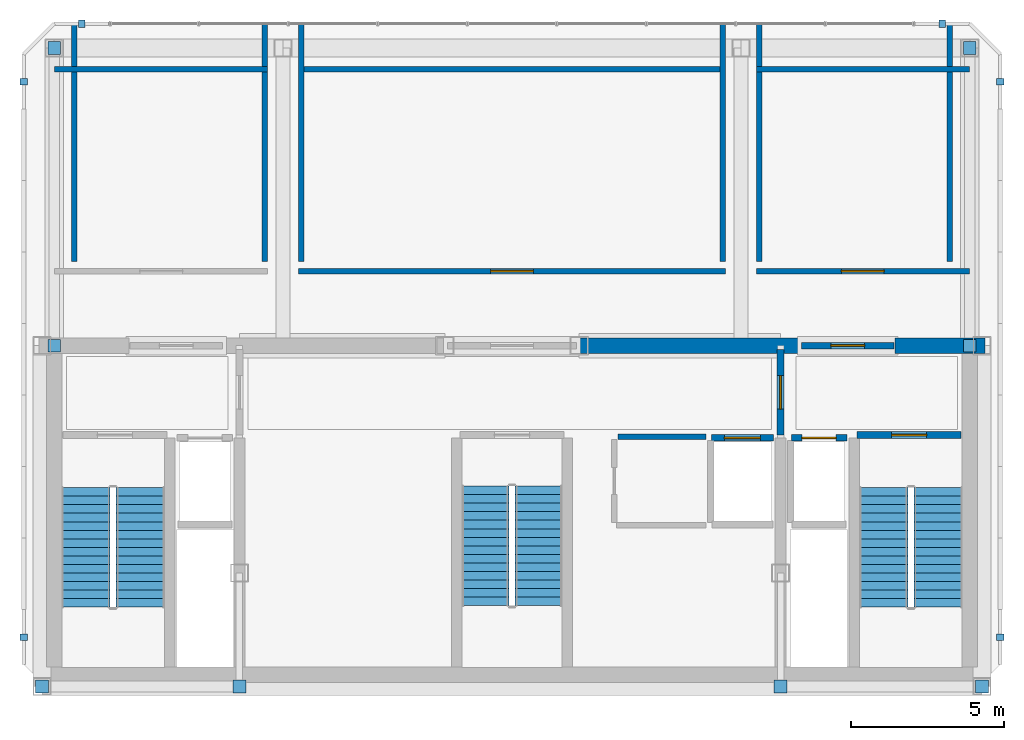
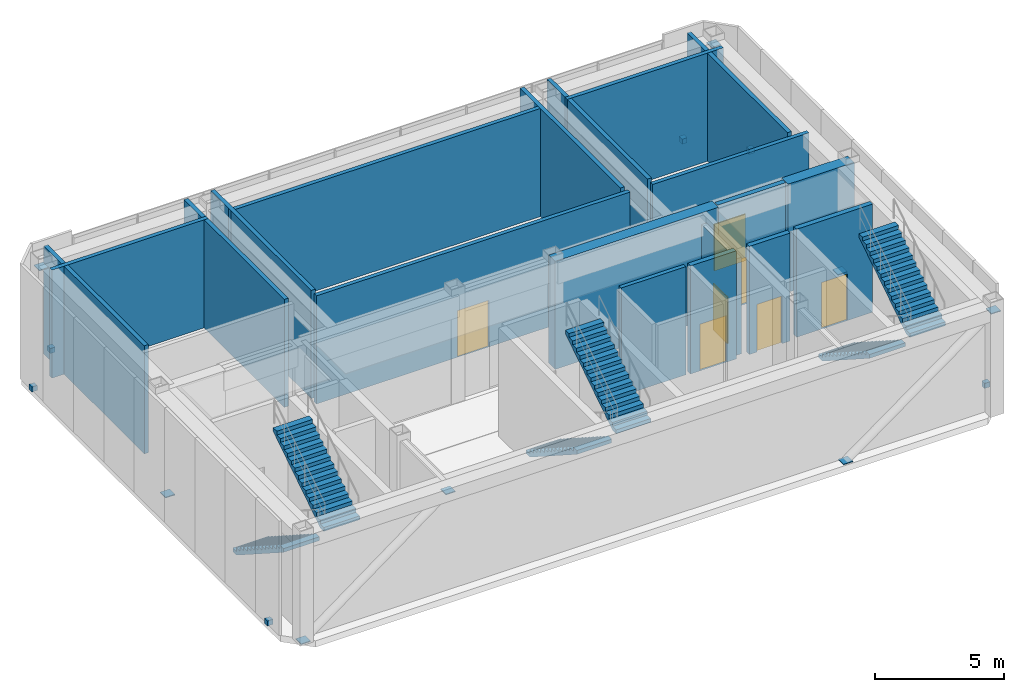
# One storey, part 8 of 9: 19 walls, 14 discrete accessories, 7 doors, 6 stair flights, 7 openings, 3 elements without a shape of their own.
"""IFC4 building model written with IfcOpenShell, lengths in metres."""

from ifc_helpers import new_model, si_unit, direction, frame, frame_2d, origin, origin_2d, place, context, subcontext, project, spatial, polyline, rectangle, outline, extrude, material, layer, layer_set, type_object, element, fill, aggregate, save


model = new_model("IFC4")

# Units and contexts
model_context = context("Model", 3, precision=1e-05, world=origin(), true_north=direction((0.0, 1.0)))
body_context = subcontext(model_context, "Body", "Model", "MODEL_VIEW")
ifc_project = project(units=[si_unit("LENGTHUNIT", "METRE"), si_unit("AREAUNIT", "SQUARE_METRE"), si_unit("VOLUMEUNIT", "CUBIC_METRE"), si_unit("PLANEANGLEUNIT", "RADIAN"), si_unit("MASSUNIT", "GRAM", prefix="KILO")], contexts=[model_context])

# Site, building, storey
site_placement = place(None, origin())
site = spatial("IfcSite", under=ifc_project, at=site_placement, CompositionType="ELEMENT")
building_placement = place(site_placement, origin())
building = spatial("IfcBuilding", under=site, at=building_placement, Name="Ventersveld Concourse Tower", CompositionType="ELEMENT")
storey_placement = place(building_placement, frame((0.0, 0.0, 372.050048828125)))
storey = spatial("IfcBuildingStorey", under=building, at=storey_placement, Name="L91", CompositionType="ELEMENT", Elevation=372.050048828125)

# Walls
ifc_material_1 = material(Name="Concrete C50/60", Category="concrete")
ifc_layer_1 = layer(ifc_material_1, 0.5)
ifc_layer_set_1 = layer_set([ifc_layer_1], Name="Concrete C50/60")
wall_type_1 = type_object("IfcWallType", Name="WL-CORE-500", PredefinedType="SHEAR", material=ifc_layer_set_1)
wall_1_placement = place(storey_placement, frame((30.89990234375, 11.449951171875, 0.0), z_axis=(0.0, 0.0, 1.0), x_axis=(1.0, 0.0, 0.0)))
element("IfcWall", 1, at=wall_1_placement, inside=storey, type_object=wall_type_1, Name="L91 Rear Core North Shear Wall NMR", PredefinedType="SHEAR", context=body_context, shape_type="SweptSolid", body=[
    extrude(rectangle(XDim=7.300048828125, YDim=0.5, at=frame_2d((3.64990234375, 0.0))), origin(), (0.0, 0.0, 1.0), 5.099853515625),
])
wall_2_placement = place(storey_placement, frame((41.300048828125, 11.449951171875, 0.0), z_axis=(0.0, 0.0, 1.0), x_axis=(1.0, 0.0, 0.0)))
element("IfcWall", 2, at=wall_2_placement, inside=storey, type_object=wall_type_1, Name="L91 Rear Core North Shear Wall NE", PredefinedType="SHEAR", context=body_context, shape_type="SweptSolid", body=[
    extrude(rectangle(XDim=2.949951171875, YDim=0.5, at=frame_2d((1.47509765625, 0.0))), origin(), (0.0, 0.0, 1.0), 5.099853515625),
])
ifc_material_2 = material(Name="Fire-rated autoclaved aerated masonry blockwork", Category="masonry")
ifc_layer_2 = layer(ifc_material_2, 0.179931640625)
ifc_layer_set_2 = layer_set([ifc_layer_2], Name="Fire-rated autoclaved aerated masonry blockwork")
wall_type_2 = type_object("IfcWallType", Name="WL-CORR-180", PredefinedType="PARTITIONING", material=ifc_layer_set_2)
wall_3_placement = place(storey_placement, frame((32.219970703125, 8.4599609375, 0.0), z_axis=(0.0, 0.0, 1.0), x_axis=(1.0, 0.0, 0.0)))
element("IfcWall", 3, at=wall_3_placement, inside=storey, type_object=wall_type_2, Name="L91 Core Top Wall SP-L91-CBAY1", PredefinedType="PARTITIONING", context=body_context, shape_type="SweptSolid", body=[
    extrude(rectangle(XDim=2.880126953125, YDim=0.179931640625, at=frame_2d((1.43994140625, 0.0))), origin(), (0.0, 0.0, 1.0), 5.099853515625),
])

# Wall, opening, door
wall_4_placement = place(storey_placement, frame((21.7548828125, 13.889892578125, 0.0), z_axis=(0.0, 0.0, 1.0), x_axis=(1.0, 0.0, 0.0)))
wall_4 = element("IfcWall", 4, at=wall_4_placement, inside=storey, type_object=wall_type_2, Name="L91 Interior Partition SP-L91-PCOR-SP-L91-AHU", PredefinedType="PARTITIONING", context=body_context, shape_type="SweptSolid", body=[
    extrude(rectangle(XDim=13.990234375, YDim=0.179931640625, at=frame_2d((6.9951171875, 0.0))), origin(), (0.0, 0.0, 1.0), 5.099853515625),
])
opening_1_placement = place(wall_4_placement, frame((6.294921875, 0.0, 0.0)))
opening_1 = element("IfcOpeningElement", 5, at=opening_1_placement, cuts=wall_4, Name="Opening FD4", PredefinedType="OPENING", context=body_context, shape_type="SweptSolid", body=[
    extrude(rectangle(XDim=1.39990234375, YDim=2.199951171875, at=frame_2d((0.699951171875, 1.10009765625))), frame((0.0, 0.10009765625, 0.0), z_axis=(0.0, -1.0, 0.0), x_axis=(1.0, 0.0, 0.0)), (0.0, 0.0, 1.0), 0.199951171875),
])
ifc_material_3 = material(Name="Galvanised painted steel", Category="steel")
door_type_1 = type_object("IfcDoorType", Name="DR-PLANT-140", OperationType="DOUBLE_DOOR_SINGLE_SWING", PredefinedType="DOOR", material=ifc_material_3)
door_1_placement = place(opening_1_placement, origin())
door_1 = element("IfcDoor", 6, at=door_1_placement, inside=storey, type_object=door_type_1, Name="L91 Interior Door SP-L91-PCOR to SP-L91-AHU (FD-L91-3980)", OperationType="DOUBLE_DOOR_SINGLE_SWING", OverallHeight=2.199951171875, OverallWidth=1.39990234375, PredefinedType="DOOR", context=body_context, shape_type="SweptSolid", body=[
    extrude(rectangle(XDim=1.39990234375, YDim=2.199951171875, at=frame_2d((0.699951171875, 1.10009765625))), frame((0.0, 0.02490234375, 0.0), z_axis=(0.0, -1.0, 0.0), x_axis=(1.0, 0.0, 0.0)), (0.0, 0.0, 1.0), 0.050048828125),
])
fill(opening_1, door_1)

wall_5_placement = place(storey_placement, frame((36.7548828125, 13.889892578125, 0.0), z_axis=(0.0, 0.0, 1.0), x_axis=(1.0, 0.0, 0.0)))
wall_5 = element("IfcWall", 7, at=wall_5_placement, inside=storey, type_object=wall_type_2, Name="L91 Interior Partition SP-L91-PCOR-SP-L91-PMP", PredefinedType="PARTITIONING", context=body_context, shape_type="SweptSolid", body=[
    extrude(rectangle(XDim=6.97705078125, YDim=0.179931640625, at=frame_2d((3.488525390625, 0.0))), origin(), (0.0, 0.0, 1.0), 5.099853515625),
])
opening_2_placement = place(wall_5_placement, frame((2.78857421875, 0.0, 0.0)))
opening_2 = element("IfcOpeningElement", 8, at=opening_2_placement, cuts=wall_5, Name="Opening FD4", PredefinedType="OPENING", context=body_context, shape_type="SweptSolid", body=[
    extrude(rectangle(XDim=1.39990234375, YDim=2.199951171875, at=frame_2d((0.699951171875, 1.10009765625))), frame((0.0, 0.10009765625, 0.0), z_axis=(0.0, -1.0, 0.0), x_axis=(1.0, 0.0, 0.0)), (0.0, 0.0, 1.0), 0.199951171875),
])
door_2_placement = place(opening_2_placement, origin())
door_2 = element("IfcDoor", 9, at=door_2_placement, inside=storey, type_object=door_type_1, Name="L91 Interior Door SP-L91-PCOR to SP-L91-PMP (FD-L91-3981)", OperationType="DOUBLE_DOOR_SINGLE_SWING", OverallHeight=2.199951171875, OverallWidth=1.39990234375, PredefinedType="DOOR", context=body_context, shape_type="SweptSolid", body=[
    extrude(rectangle(XDim=1.39990234375, YDim=2.199951171875, at=frame_2d((0.699951171875, 1.10009765625))), frame((0.0, 0.02490234375, 0.0), z_axis=(0.0, -1.0, 0.0), x_axis=(1.0, 0.0, 0.0)), (0.0, 0.0, 1.0), 0.050048828125),
])
fill(opening_2, door_2)

# Walls
wall_6_placement = place(storey_placement, frame((20.64990234375, 14.215087890625, 0.0), z_axis=(0.0, 0.0, 1.0), x_axis=(0.0, 1.0, 0.0)))
element("IfcWall", 10, at=wall_6_placement, inside=storey, type_object=wall_type_2, Name="L91 Room Enclosure Wall SP-L91-CHL", PredefinedType="PARTITIONING", context=body_context, shape_type="SweptSolid", body=[
    extrude(rectangle(XDim=7.766845703125, YDim=0.179931640625, at=frame_2d((3.88330078125, 0.0))), origin(), (0.0, 0.0, 1.0), 5.099853515625),
])
wall_7_placement = place(storey_placement, frame((20.7451171875, 20.5, 0.0), z_axis=(0.0, 0.0, 1.0), x_axis=(-1.0, 0.0, 0.0)))
element("IfcWall", 11, at=wall_7_placement, inside=storey, type_object=wall_type_2, Name="L91 Room Enclosure Wall SP-L91-CHL", PredefinedType="PARTITIONING", context=body_context, shape_type="SweptSolid", body=[
    extrude(rectangle(XDim=6.97705078125, YDim=0.179931640625, at=frame_2d((3.488525390625, 0.0))), origin(), (0.0, 0.0, 1.0), 5.099853515625),
])
wall_8_placement = place(storey_placement, frame((14.39990234375, 21.990966796875, 0.0), z_axis=(0.0, 0.0, 1.0), x_axis=(0.0, -1.0, 0.0)))
element("IfcWall", 12, at=wall_8_placement, inside=storey, type_object=wall_type_2, Name="L91 Room Enclosure Wall SP-L91-CHL", PredefinedType="PARTITIONING", context=body_context, shape_type="SweptSolid", body=[
    extrude(rectangle(XDim=7.77587890625, YDim=0.179931640625, at=frame_2d((3.887939453125, 0.0))), origin(), (0.0, 0.0, 1.0), 5.099853515625),
])
wall_9_placement = place(storey_placement, frame((35.64990234375, 14.215087890625, 0.0), z_axis=(0.0, 0.0, 1.0), x_axis=(0.0, 1.0, 0.0)))
element("IfcWall", 13, at=wall_9_placement, inside=storey, type_object=wall_type_2, Name="L91 Room Enclosure Wall SP-L91-AHU", PredefinedType="PARTITIONING", context=body_context, shape_type="SweptSolid", body=[
    extrude(rectangle(XDim=7.766845703125, YDim=0.179931640625, at=frame_2d((3.88330078125, 0.0))), origin(), (0.0, 0.0, 1.0), 5.099853515625),
])
wall_10_placement = place(storey_placement, frame((35.7451171875, 20.5, 0.0), z_axis=(0.0, 0.0, 1.0), x_axis=(-1.0, 0.0, 0.0)))
element("IfcWall", 14, at=wall_10_placement, inside=storey, type_object=wall_type_2, Name="L91 Room Enclosure Wall SP-L91-AHU", PredefinedType="PARTITIONING", context=body_context, shape_type="SweptSolid", body=[
    extrude(rectangle(XDim=13.990234375, YDim=0.179931640625, at=frame_2d((6.9951171875, 0.0))), origin(), (0.0, 0.0, 1.0), 5.099853515625),
])
wall_11_placement = place(storey_placement, frame((21.85009765625, 21.98193359375, 0.0), z_axis=(0.0, 0.0, 1.0), x_axis=(0.0, -1.0, 0.0)))
element("IfcWall", 15, at=wall_11_placement, inside=storey, type_object=wall_type_2, Name="L91 Room Enclosure Wall SP-L91-AHU", PredefinedType="PARTITIONING", context=body_context, shape_type="SweptSolid", body=[
    extrude(rectangle(XDim=7.766845703125, YDim=0.179931640625, at=frame_2d((3.88330078125, 0.0))), origin(), (0.0, 0.0, 1.0), 5.099853515625),
])
wall_12_placement = place(storey_placement, frame((43.10009765625, 14.215087890625, 0.0), z_axis=(0.0, 0.0, 1.0), x_axis=(0.0, 1.0, 0.0)))
element("IfcWall", 16, at=wall_12_placement, inside=storey, type_object=wall_type_2, Name="L91 Room Enclosure Wall SP-L91-PMP", PredefinedType="PARTITIONING", context=body_context, shape_type="SweptSolid", body=[
    extrude(rectangle(XDim=7.77587890625, YDim=0.179931640625, at=frame_2d((3.887939453125, 0.0))), origin(), (0.0, 0.0, 1.0), 5.099853515625),
])
wall_13_placement = place(storey_placement, frame((43.73193359375, 20.5, 0.0), z_axis=(0.0, 0.0, 1.0), x_axis=(-1.0, 0.0, 0.0)))
element("IfcWall", 17, at=wall_13_placement, inside=storey, type_object=wall_type_2, Name="L91 Room Enclosure Wall SP-L91-PMP", PredefinedType="PARTITIONING", context=body_context, shape_type="SweptSolid", body=[
    extrude(rectangle(XDim=6.97705078125, YDim=0.179931640625, at=frame_2d((3.488525390625, 0.0))), origin(), (0.0, 0.0, 1.0), 5.099853515625),
])
wall_14_placement = place(storey_placement, frame((36.85009765625, 21.98193359375, 0.0), z_axis=(0.0, 0.0, 1.0), x_axis=(0.0, -1.0, 0.0)))
element("IfcWall", 18, at=wall_14_placement, inside=storey, type_object=wall_type_2, Name="L91 Room Enclosure Wall SP-L91-PMP", PredefinedType="PARTITIONING", context=body_context, shape_type="SweptSolid", body=[
    extrude(rectangle(XDim=7.766845703125, YDim=0.179931640625, at=frame_2d((3.88330078125, 0.0))), origin(), (0.0, 0.0, 1.0), 5.099853515625),
])

# Wall, opening, door
ifc_layer_3 = layer(ifc_material_2, 0.219970703125)
ifc_layer_set_3 = layer_set([ifc_layer_3], Name="Fire-rated autoclaved aerated masonry blockwork")
wall_type_3 = type_object("IfcWallType", Name="WL-HOIST-220", PredefinedType="SOLIDWALL", material=ifc_layer_set_3)
wall_15_placement = place(storey_placement, frame((37.89990234375, 8.429931640625, 0.0), z_axis=(0.0, 0.0, 1.0), x_axis=(1.0, 0.0, 0.0)))
wall_15 = element("IfcWall", 19, at=wall_15_placement, inside=storey, type_object=wall_type_3, Name="L91 Lift Hoistway Front Wall FFL-02", PredefinedType="SOLIDWALL", context=body_context, shape_type="SweptSolid", body=[
    extrude(rectangle(XDim=1.820068359375, YDim=0.219970703125, at=frame_2d((0.91015625, 0.0))), origin(), (0.0, 0.0, 1.0), 5.099853515625),
])
opening_3_placement = place(wall_15_placement, frame((0.35009765625, 0.0, 0.0)))
opening_3 = element("IfcOpeningElement", 20, at=opening_3_placement, cuts=wall_15, Name="Opening LD1", PredefinedType="OPENING", context=body_context, shape_type="SweptSolid", body=[
    extrude(rectangle(XDim=1.1201171875, YDim=2.25, at=frame_2d((0.56005859375, 1.125))), frame((0.0, 0.1201171875, 0.0), z_axis=(0.0, -1.0, 0.0), x_axis=(1.0, 0.0, 0.0)), (0.0, 0.0, 1.0), 0.239990234375),
])
ifc_material_4 = material(Name="Brushed stainless steel 316", Category="steel")
door_type_2 = type_object("IfcDoorType", Name="LD-FF-112", OperationType="SLIDING_TO_LEFT", PredefinedType="DOOR", material=ifc_material_4)
door_3_placement = place(opening_3_placement, origin())
door_3 = element("IfcDoor", 21, at=door_3_placement, inside=storey, type_object=door_type_2, Name="L91 Lift landing door FFL-02 (LD-L91-FFL-02)", OperationType="SLIDING_TO_RIGHT", OverallHeight=2.25, OverallWidth=1.1201171875, PredefinedType="DOOR", context=body_context, shape_type="SweptSolid", body=[
    extrude(rectangle(XDim=1.1201171875, YDim=2.25, at=frame_2d((0.56005859375, 1.125))), frame((0.0, 0.02490234375, 0.0), z_axis=(0.0, -1.0, 0.0), x_axis=(1.0, 0.0, 0.0)), (0.0, 0.0, 1.0), 0.050048828125),
])
fill(opening_3, door_3)

wall_16_placement = place(storey_placement, frame((35.280029296875, 8.429931640625, 0.0), z_axis=(0.0, 0.0, 1.0), x_axis=(1.0, 0.0, 0.0)))
wall_16 = element("IfcWall", 22, at=wall_16_placement, inside=storey, type_object=wall_type_3, Name="L91 Lift Hoistway Front Wall SVL-01", PredefinedType="SOLIDWALL", context=body_context, shape_type="SweptSolid", body=[
    extrude(rectangle(XDim=2.0400390625, YDim=0.219970703125, at=frame_2d((1.02001953125, 0.0))), origin(), (0.0, 0.0, 1.0), 5.099853515625),
])
opening_4_placement = place(wall_16_placement, frame((0.429931640625, 0.0, 0.0)))
opening_4 = element("IfcOpeningElement", 23, at=opening_4_placement, cuts=wall_16, Name="Opening LD2", PredefinedType="OPENING", context=body_context, shape_type="SweptSolid", body=[
    extrude(rectangle(XDim=1.179931640625, YDim=2.199951171875, at=frame_2d((0.58984375, 1.10009765625))), frame((0.0, 0.1201171875, 0.0), z_axis=(0.0, -1.0, 0.0), x_axis=(1.0, 0.0, 0.0)), (0.0, 0.0, 1.0), 0.239990234375),
])
door_type_3 = type_object("IfcDoorType", Name="LD-PAX-118", OperationType="SLIDING_TO_LEFT", PredefinedType="DOOR", material=ifc_material_4)
door_4_placement = place(opening_4_placement, origin())
door_4 = element("IfcDoor", 24, at=door_4_placement, inside=storey, type_object=door_type_3, Name="L91 Lift landing door SVL-01 (LD-L91-SVL-01)", OperationType="SLIDING_TO_LEFT", OverallHeight=2.199951171875, OverallWidth=1.179931640625, PredefinedType="DOOR", context=body_context, shape_type="SweptSolid", body=[
    extrude(rectangle(XDim=1.179931640625, YDim=2.199951171875, at=frame_2d((0.58984375, 1.10009765625))), frame((0.0, 0.02490234375, 0.0), z_axis=(0.0, -1.0, 0.0), x_axis=(1.0, 0.0, 0.0)), (0.0, 0.0, 1.0), 0.050048828125),
])
fill(opening_4, door_4)

wall_17_placement = place(storey_placement, frame((40.06005859375, 8.52001953125, 0.0), z_axis=(0.0, 0.0, 1.0), x_axis=(1.0, 0.0, 0.0)))
wall_17 = element("IfcWall", 25, at=wall_17_placement, inside=storey, type_object=wall_type_3, Name="L91 Escape Stair ST02 Fire Wall", PredefinedType="SOLIDWALL", context=body_context, shape_type="SweptSolid", body=[
    extrude(rectangle(XDim=3.39990234375, YDim=0.219970703125, at=frame_2d((1.699951171875, 0.0))), origin(), (0.0, 0.0, 1.0), 5.099853515625),
])
opening_5_placement = place(wall_17_placement, frame((1.125, 0.0, 0.0)))
opening_5 = element("IfcOpeningElement", 26, at=opening_5_placement, cuts=wall_17, Name="Opening FD1", PredefinedType="OPENING", context=body_context, shape_type="SweptSolid", body=[
    extrude(rectangle(XDim=1.14990234375, YDim=2.199951171875, at=frame_2d((0.574951171875, 1.10009765625))), frame((0.0, 0.1201171875, 0.0), z_axis=(0.0, -1.0, 0.0), x_axis=(1.0, 0.0, 0.0)), (0.0, 0.0, 1.0), 0.239990234375),
])
door_type_4 = type_object("IfcDoorType", Name="DR-STAIR-115", OperationType="NOTDEFINED", PredefinedType="DOOR", material=ifc_material_3)
door_5_placement = place(opening_5_placement, origin())
door_5 = element("IfcDoor", 27, at=door_5_placement, inside=storey, type_object=door_type_4, Name="L91 Escape Stair Door ST02 (SD-L91-3971)", OperationType="SINGLE_SWING_RIGHT", OverallHeight=2.199951171875, OverallWidth=1.14990234375, PredefinedType="DOOR", context=body_context, shape_type="SweptSolid", body=[
    extrude(rectangle(XDim=1.14990234375, YDim=2.199951171875, at=frame_2d((0.574951171875, 1.10009765625))), frame((0.0, 0.02490234375, 0.0), z_axis=(0.0, -1.0, 0.0), x_axis=(1.0, 0.0, 0.0)), (0.0, 0.0, 1.0), 0.050048828125),
])
fill(opening_5, door_5)

wall_18_placement = place(storey_placement, frame((37.550048828125, 8.52001953125, 0.0), z_axis=(0.0, 0.0, 1.0), x_axis=(0.0, 1.0, 0.0)))
wall_18 = element("IfcWall", 28, at=wall_18_placement, inside=storey, type_object=wall_type_3, Name="L91 Firefighting Lobby Smoke-Stop Wall FFLE-SEP", PredefinedType="SOLIDWALL", context=body_context, shape_type="SweptSolid", body=[
    extrude(rectangle(XDim=2.800048828125, YDim=0.219970703125, at=frame_2d((1.39990234375, 0.0))), origin(), (0.0, 0.0, 1.0), 4.555419921875),
])
opening_6_placement = place(wall_18_placement, frame((0.85009765625, 0.0, 0.0)))
opening_6 = element("IfcOpeningElement", 29, at=opening_6_placement, cuts=wall_18, Name="Opening FD2", PredefinedType="OPENING", context=body_context, shape_type="SweptSolid", body=[
    extrude(rectangle(XDim=1.10009765625, YDim=2.199951171875, at=frame_2d((0.550048828125, 1.10009765625))), frame((0.0, 0.1201171875, 0.0), z_axis=(0.0, -1.0, 0.0), x_axis=(1.0, 0.0, 0.0)), (0.0, 0.0, 1.0), 0.239990234375),
])
door_type_5 = type_object("IfcDoorType", Name="DR-FFL-110", OperationType="NOTDEFINED", PredefinedType="DOOR", material=ifc_material_3)
door_6_placement = place(opening_6_placement, origin())
door_6 = element("IfcDoor", 30, at=door_6_placement, inside=storey, type_object=door_type_5, Name="L91 Firefighting Lobby Door FFLE-SEP (FD-L91-3974)", OperationType="SINGLE_SWING_RIGHT", OverallHeight=2.199951171875, OverallWidth=1.10009765625, PredefinedType="DOOR", context=body_context, shape_type="SweptSolid", body=[
    extrude(rectangle(XDim=1.10009765625, YDim=2.199951171875, at=frame_2d((0.550048828125, 1.10009765625))), frame((0.0, 0.02490234375, 0.0), z_axis=(0.0, -1.0, 0.0), x_axis=(1.0, 0.0, 0.0)), (0.0, 0.0, 1.0), 0.050048828125),
])
fill(opening_6, door_6)

wall_19_placement = place(storey_placement, frame((38.22998046875, 11.449951171875, 0.0), z_axis=(0.0, 0.0, 1.0), x_axis=(1.0, 0.0, 0.0)))
wall_19 = element("IfcWall", 31, at=wall_19_placement, inside=storey, type_object=wall_type_3, Name="L91 Core North Fire Portal FFLE-OUT", PredefinedType="SOLIDWALL", context=body_context, shape_type="SweptSolid", body=[
    extrude(rectangle(XDim=3.0400390625, YDim=0.219970703125, at=frame_2d((1.52001953125, 0.0))), origin(), (0.0, 0.0, 1.0), 5.099853515625),
])
opening_7_placement = place(wall_19_placement, frame((0.969970703125, 0.0, 0.0)))
opening_7 = element("IfcOpeningElement", 32, at=opening_7_placement, cuts=wall_19, Name="Opening FD2", PredefinedType="OPENING", context=body_context, shape_type="SweptSolid", body=[
    extrude(rectangle(XDim=1.10009765625, YDim=2.199951171875, at=frame_2d((0.550048828125, 1.10009765625))), frame((0.0, 0.1201171875, 0.0), z_axis=(0.0, -1.0, 0.0), x_axis=(1.0, 0.0, 0.0)), (0.0, 0.0, 1.0), 0.239990234375),
])
door_7_placement = place(opening_7_placement, origin())
door_7 = element("IfcDoor", 33, at=door_7_placement, inside=storey, type_object=door_type_5, Name="L91 Core Lobby Fire Door FFLE-OUT (FD-L91-3977)", OperationType="SINGLE_SWING_LEFT", OverallHeight=2.199951171875, OverallWidth=1.10009765625, PredefinedType="DOOR", context=body_context, shape_type="SweptSolid", body=[
    extrude(rectangle(XDim=1.10009765625, YDim=2.199951171875, at=frame_2d((0.550048828125, 1.10009765625))), frame((0.0, 0.02490234375, 0.0), z_axis=(0.0, -1.0, 0.0), x_axis=(1.0, 0.0, 0.0)), (0.0, 0.0, 1.0), 0.050048828125),
])
fill(opening_7, door_7)

# Stair, stair flights
stair_type_1 = type_object("IfcStairType", Name="ST-DOG-155", PredefinedType="HALF_TURN_STAIR", material=ifc_material_1)
stair_1_placement = place(storey_placement, origin())
stair_1 = element("IfcStair", 34, at=stair_1_placement, inside=storey, type_object=stair_type_1, Name="L91 Protected Central Core Escape Stair ST-03", PredefinedType="HALF_TURN_STAIR")
stair_flight_type_1 = type_object("IfcStairFlightType", Name="STF-RC-155", PredefinedType="STRAIGHT", material=ifc_material_1)
stair_flight_1_placement = place(storey_placement, frame((27.875, 6.85009765625, 0.0), z_axis=(0.0, 0.0, 1.0), x_axis=(0.0, -1.0, 0.0)))
stair_flight_1 = element("IfcStairFlight", 35, at=stair_flight_1_placement, type_object=stair_flight_type_1, Name="ST-03 flight 1", NumberOfRisers=15, NumberOfTreads=14, PredefinedType="STRAIGHT", RiserHeight=0.18, TreadLength=0.28, context=body_context, shape_type="SweptSolid", body=[
    extrude(outline(polyline([(0.0, 0.0), (0.0, 0.179931640625), (0.280029296875, 0.179931640625), (0.280029296875, 0.360107421875), (0.56005859375, 0.360107421875), (0.56005859375, 0.5400390625), (0.840087890625, 0.5400390625), (0.840087890625, 0.719970703125), (1.1201171875, 0.719970703125), (1.1201171875, 0.89990234375), (1.39990234375, 0.89990234375), (1.39990234375, 1.080078125), (1.679931640625, 1.080078125), (1.679931640625, 1.260009765625), (1.9599609375, 1.260009765625), (1.9599609375, 1.43994140625), (2.239990234375, 1.43994140625), (2.239990234375, 1.6201171875), (2.52001953125, 1.6201171875), (2.52001953125, 1.800048828125), (2.800048828125, 1.800048828125), (2.800048828125, 1.97998046875), (3.080078125, 1.97998046875), (3.080078125, 2.159912109375), (3.360107421875, 2.159912109375), (3.360107421875, 2.340087890625), (3.639892578125, 2.340087890625), (3.639892578125, 2.52001953125), (3.919921875, 2.52001953125), (3.919921875, 2.699951171875), (3.919921875, 2.341796875), (0.277099609375, 0.0), (0.0, 0.0)])), frame((0.0, 0.77490234375, 0.0), z_axis=(0.0, -1.0, 0.0), x_axis=(1.0, 0.0, 0.0)), (0.0, 0.0, 1.0), 1.550048828125),
])
stair_flight_2_placement = place(storey_placement, frame((29.625, 2.929931640625, 2.699951171875), z_axis=(0.0, 0.0, 1.0), x_axis=(0.0, 1.0, 0.0)))
stair_flight_2 = element("IfcStairFlight", 36, at=stair_flight_2_placement, type_object=stair_flight_type_1, Name="ST-03 flight 2", NumberOfRisers=15, NumberOfTreads=14, PredefinedType="STRAIGHT", RiserHeight=0.18, TreadLength=0.28, context=body_context, shape_type="SweptSolid", body=[
    extrude(outline(polyline([(0.0, 0.0), (0.0, 0.179931640625), (0.280029296875, 0.179931640625), (0.280029296875, 0.360107421875), (0.56005859375, 0.360107421875), (0.56005859375, 0.5400390625), (0.840087890625, 0.5400390625), (0.840087890625, 0.719970703125), (1.1201171875, 0.719970703125), (1.1201171875, 0.89990234375), (1.39990234375, 0.89990234375), (1.39990234375, 1.080078125), (1.679931640625, 1.080078125), (1.679931640625, 1.260009765625), (1.9599609375, 1.260009765625), (1.9599609375, 1.43994140625), (2.239990234375, 1.43994140625), (2.239990234375, 1.6201171875), (2.52001953125, 1.6201171875), (2.52001953125, 1.800048828125), (2.800048828125, 1.800048828125), (2.800048828125, 1.97998046875), (3.080078125, 1.97998046875), (3.080078125, 2.159912109375), (3.360107421875, 2.159912109375), (3.360107421875, 2.340087890625), (3.639892578125, 2.340087890625), (3.639892578125, 2.52001953125), (3.919921875, 2.52001953125), (3.919921875, 2.699951171875), (3.919921875, 2.341796875), (0.277099609375, 0.0), (0.0, 0.0)])), frame((0.0, 0.77490234375, 0.0), z_axis=(0.0, -1.0, 0.0), x_axis=(1.0, 0.0, 0.0)), (0.0, 0.0, 1.0), 1.550048828125),
])
aggregate(stair_1, [stair_flight_1, stair_flight_2])

stair_type_2 = type_object("IfcStairType", Name="ST-DOG-160", PredefinedType="HALF_TURN_STAIR", material=ifc_material_1)
stair_2_placement = place(storey_placement, origin())
stair_2 = element("IfcStair", 37, at=stair_2_placement, inside=storey, type_object=stair_type_2, Name="L91 Protected Tower Escape Stair ST-01", PredefinedType="HALF_TURN_STAIR")
stair_flight_type_2 = type_object("IfcStairFlightType", Name="STF-RC-160", PredefinedType="STRAIGHT", material=ifc_material_1)
stair_flight_3_placement = place(storey_placement, frame((14.780029296875, 6.800048828125, 0.0), z_axis=(0.0, 0.0, 1.0), x_axis=(0.0, -1.0, 0.0)))
stair_flight_3 = element("IfcStairFlight", 38, at=stair_flight_3_placement, type_object=stair_flight_type_2, Name="ST-01 flight 1", NumberOfRisers=15, NumberOfTreads=14, PredefinedType="STRAIGHT", RiserHeight=0.18, TreadLength=0.28, context=body_context, shape_type="SweptSolid", body=[
    extrude(outline(polyline([(0.0, 0.0), (0.0, 0.179931640625), (0.280029296875, 0.179931640625), (0.280029296875, 0.360107421875), (0.56005859375, 0.360107421875), (0.56005859375, 0.5400390625), (0.840087890625, 0.5400390625), (0.840087890625, 0.719970703125), (1.1201171875, 0.719970703125), (1.1201171875, 0.89990234375), (1.39990234375, 0.89990234375), (1.39990234375, 1.080078125), (1.679931640625, 1.080078125), (1.679931640625, 1.260009765625), (1.9599609375, 1.260009765625), (1.9599609375, 1.43994140625), (2.239990234375, 1.43994140625), (2.239990234375, 1.6201171875), (2.52001953125, 1.6201171875), (2.52001953125, 1.800048828125), (2.800048828125, 1.800048828125), (2.800048828125, 1.97998046875), (3.080078125, 1.97998046875), (3.080078125, 2.159912109375), (3.360107421875, 2.159912109375), (3.360107421875, 2.340087890625), (3.639892578125, 2.340087890625), (3.639892578125, 2.52001953125), (3.919921875, 2.52001953125), (3.919921875, 2.699951171875), (3.919921875, 2.341796875), (0.277099609375, 0.0), (0.0, 0.0)])), frame((0.0, 0.800048828125, 0.0), z_axis=(0.0, -1.0, 0.0), x_axis=(1.0, 0.0, 0.0)), (0.0, 0.0, 1.0), 1.60009765625),
])
stair_flight_4_placement = place(storey_placement, frame((16.580078125, 2.8798828125, 2.699951171875), z_axis=(0.0, 0.0, 1.0), x_axis=(0.0, 1.0, 0.0)))
stair_flight_4 = element("IfcStairFlight", 39, at=stair_flight_4_placement, type_object=stair_flight_type_2, Name="ST-01 flight 2", NumberOfRisers=15, NumberOfTreads=14, PredefinedType="STRAIGHT", RiserHeight=0.18, TreadLength=0.28, context=body_context, shape_type="SweptSolid", body=[
    extrude(outline(polyline([(0.0, 0.0), (0.0, 0.179931640625), (0.280029296875, 0.179931640625), (0.280029296875, 0.360107421875), (0.56005859375, 0.360107421875), (0.56005859375, 0.5400390625), (0.840087890625, 0.5400390625), (0.840087890625, 0.719970703125), (1.1201171875, 0.719970703125), (1.1201171875, 0.89990234375), (1.39990234375, 0.89990234375), (1.39990234375, 1.080078125), (1.679931640625, 1.080078125), (1.679931640625, 1.260009765625), (1.9599609375, 1.260009765625), (1.9599609375, 1.43994140625), (2.239990234375, 1.43994140625), (2.239990234375, 1.6201171875), (2.52001953125, 1.6201171875), (2.52001953125, 1.800048828125), (2.800048828125, 1.800048828125), (2.800048828125, 1.97998046875), (3.080078125, 1.97998046875), (3.080078125, 2.159912109375), (3.360107421875, 2.159912109375), (3.360107421875, 2.340087890625), (3.639892578125, 2.340087890625), (3.639892578125, 2.52001953125), (3.919921875, 2.52001953125), (3.919921875, 2.699951171875), (3.919921875, 2.341796875), (0.277099609375, 0.0), (0.0, 0.0)])), frame((0.0, 0.800048828125, 0.0), z_axis=(0.0, -1.0, 0.0), x_axis=(1.0, 0.0, 0.0)), (0.0, 0.0, 1.0), 1.60009765625),
])
aggregate(stair_2, [stair_flight_3, stair_flight_4])

stair_3_placement = place(storey_placement, origin())
stair_3 = element("IfcStair", 40, at=stair_3_placement, inside=storey, type_object=stair_type_2, Name="L91 Protected Tower Escape Stair ST-02", PredefinedType="HALF_TURN_STAIR")
stair_flight_5_placement = place(storey_placement, frame((40.919921875, 6.800048828125, 0.0), z_axis=(0.0, 0.0, 1.0), x_axis=(0.0, -1.0, 0.0)))
stair_flight_5 = element("IfcStairFlight", 41, at=stair_flight_5_placement, type_object=stair_flight_type_2, Name="ST-02 flight 1", NumberOfRisers=15, NumberOfTreads=14, PredefinedType="STRAIGHT", RiserHeight=0.18, TreadLength=0.28, context=body_context, shape_type="SweptSolid", body=[
    extrude(outline(polyline([(0.0, 0.0), (0.0, 0.179931640625), (0.280029296875, 0.179931640625), (0.280029296875, 0.360107421875), (0.56005859375, 0.360107421875), (0.56005859375, 0.5400390625), (0.840087890625, 0.5400390625), (0.840087890625, 0.719970703125), (1.1201171875, 0.719970703125), (1.1201171875, 0.89990234375), (1.39990234375, 0.89990234375), (1.39990234375, 1.080078125), (1.679931640625, 1.080078125), (1.679931640625, 1.260009765625), (1.9599609375, 1.260009765625), (1.9599609375, 1.43994140625), (2.239990234375, 1.43994140625), (2.239990234375, 1.6201171875), (2.52001953125, 1.6201171875), (2.52001953125, 1.800048828125), (2.800048828125, 1.800048828125), (2.800048828125, 1.97998046875), (3.080078125, 1.97998046875), (3.080078125, 2.159912109375), (3.360107421875, 2.159912109375), (3.360107421875, 2.340087890625), (3.639892578125, 2.340087890625), (3.639892578125, 2.52001953125), (3.919921875, 2.52001953125), (3.919921875, 2.699951171875), (3.919921875, 2.341796875), (0.277099609375, 0.0), (0.0, 0.0)])), frame((0.0, 0.800048828125, 0.0), z_axis=(0.0, -1.0, 0.0), x_axis=(1.0, 0.0, 0.0)), (0.0, 0.0, 1.0), 1.60009765625),
])
stair_flight_6_placement = place(storey_placement, frame((42.719970703125, 2.8798828125, 2.699951171875), z_axis=(0.0, 0.0, 1.0), x_axis=(0.0, 1.0, 0.0)))
stair_flight_6 = element("IfcStairFlight", 42, at=stair_flight_6_placement, type_object=stair_flight_type_2, Name="ST-02 flight 2", NumberOfRisers=15, NumberOfTreads=14, PredefinedType="STRAIGHT", RiserHeight=0.18, TreadLength=0.28, context=body_context, shape_type="SweptSolid", body=[
    extrude(outline(polyline([(0.0, 0.0), (0.0, 0.179931640625), (0.280029296875, 0.179931640625), (0.280029296875, 0.360107421875), (0.56005859375, 0.360107421875), (0.56005859375, 0.5400390625), (0.840087890625, 0.5400390625), (0.840087890625, 0.719970703125), (1.1201171875, 0.719970703125), (1.1201171875, 0.89990234375), (1.39990234375, 0.89990234375), (1.39990234375, 1.080078125), (1.679931640625, 1.080078125), (1.679931640625, 1.260009765625), (1.9599609375, 1.260009765625), (1.9599609375, 1.43994140625), (2.239990234375, 1.43994140625), (2.239990234375, 1.6201171875), (2.52001953125, 1.6201171875), (2.52001953125, 1.800048828125), (2.800048828125, 1.800048828125), (2.800048828125, 1.97998046875), (3.080078125, 1.97998046875), (3.080078125, 2.159912109375), (3.360107421875, 2.159912109375), (3.360107421875, 2.340087890625), (3.639892578125, 2.340087890625), (3.639892578125, 2.52001953125), (3.919921875, 2.52001953125), (3.919921875, 2.699951171875), (3.919921875, 2.341796875), (0.277099609375, 0.0), (0.0, 0.0)])), frame((0.0, 0.800048828125, 0.0), z_axis=(0.0, -1.0, 0.0), x_axis=(1.0, 0.0, 0.0)), (0.0, 0.0, 1.0), 1.60009765625),
])
aggregate(stair_3, [stair_flight_5, stair_flight_6])

# Discrete accessories
ifc_material_5 = material(Name="Structural steel S355J2", Category="steel")
discrete_accessory_type_1 = type_object("IfcDiscreteAccessoryType", Name="BRK-FACADE-150", PredefinedType="BRACKET", material=ifc_material_5)
for number, where, z_axis, x_axis, name in (
    (43, (44.75, 1.89990234375, 0.0), (0.0, 0.0, 1.0), (0.0, 1.0, 0.0), "L91 Crown Cladding Support Bracket E3-P1"),
    (44, (44.75, 20.10009765625, 0.0), (0.0, 0.0, 1.0), (0.0, 1.0, 0.0), "L91 Crown Cladding Support Bracket E3-P2"),
    (45, (42.85009765625, 22.0, 0.0), (0.0, 0.0, 1.0), (-1.0, 0.0, 0.0), "L91 Crown Cladding Support Bracket E5-P1"),
    (46, (14.64990234375, 22.0, 0.0), (0.0, 0.0, 1.0), (-1.0, 0.0, 0.0), "L91 Crown Cladding Support Bracket E5-P2"),
    (47, (12.75, 20.10009765625, 0.0), (0.0, 0.0, 1.0), (0.0, -1.0, 0.0), "L91 Crown Cladding Support Bracket E7-P1"),
    (48, (12.75, 1.89990234375, 0.0), (0.0, 0.0, 1.0), (0.0, -1.0, 0.0), "L91 Crown Cladding Support Bracket E7-P2"),
):
    element("IfcDiscreteAccessory", number, at=place(storey_placement, frame(where, z_axis=z_axis, x_axis=x_axis)), inside=storey, type_object=discrete_accessory_type_1, Name=name, PredefinedType="BRACKET", context=body_context, shape_type="SweptSolid", body=[
        extrude(rectangle(XDim=0.219970703125, YDim=0.239990234375, at=origin_2d()), origin(), (0.0, 0.0, 1.0), 0.239990234375),
    ])
discrete_accessory_type_2 = type_object("IfcDiscreteAccessoryType", Name="CONN-BRACE-ECP1", PredefinedType="BRACKET", material=ifc_material_5)
for number, where, z_axis, x_axis, name in (
    (49, (13.35009765625, 0.280029296875, -0.02001953125), (0.0, 0.0, 1.0), (1.0, 0.0, 0.0), "L91 Steel Brace End Connection Plate ECP1-0165"),
    (50, (19.820068359375, 0.280029296875, 4.780029296875), (0.0, 0.0, 1.0), (1.0, 0.0, 0.0), "L91 Steel Brace End Connection Plate ECP1-0166"),
    (51, (37.550048828125, 0.280029296875, -0.02001953125), (0.0, 0.0, 1.0), (1.0, 0.0, 0.0), "L91 Steel Brace End Connection Plate ECP1-0167"),
    (52, (44.14990234375, 0.280029296875, 4.780029296875), (0.0, 0.0, 1.0), (1.0, 0.0, 0.0), "L91 Steel Brace End Connection Plate ECP1-0168"),
    (53, (13.75, 11.449951171875, -0.02001953125), (0.0, 0.0, 1.0), (1.0, 0.0, 0.0), "L91 Steel Brace End Connection Plate ECP1-0169"),
    (54, (13.75, 21.199951171875, 4.780029296875), (0.0, 0.0, 1.0), (1.0, 0.0, 0.0), "L91 Steel Brace End Connection Plate ECP1-0170"),
    (55, (43.75, 11.449951171875, -0.02001953125), (0.0, 0.0, 1.0), (1.0, 0.0, 0.0), "L91 Steel Brace End Connection Plate ECP1-0171"),
    (56, (43.75, 21.199951171875, 4.780029296875), (0.0, 0.0, 1.0), (1.0, 0.0, 0.0), "L91 Steel Brace End Connection Plate ECP1-0172"),
):
    element("IfcDiscreteAccessory", number, at=place(storey_placement, frame(where, z_axis=z_axis, x_axis=x_axis)), inside=storey, type_object=discrete_accessory_type_2, Name=name, PredefinedType="BRACKET", context=body_context, shape_type="SweptSolid", body=[
        extrude(rectangle(XDim=0.419921875, YDim=0.419921875, at=origin_2d()), origin(), (0.0, 0.0, 1.0), 0.0400390625),
    ])

save(model, "model.ifc")
